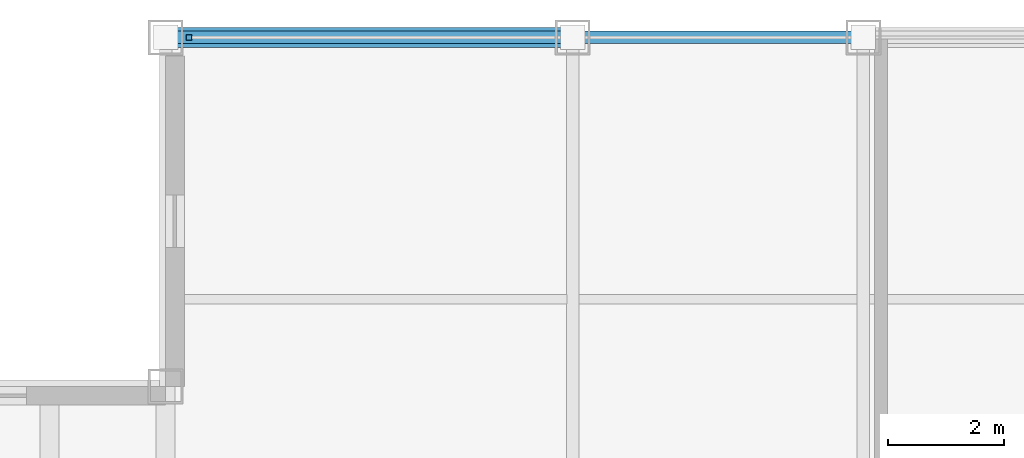
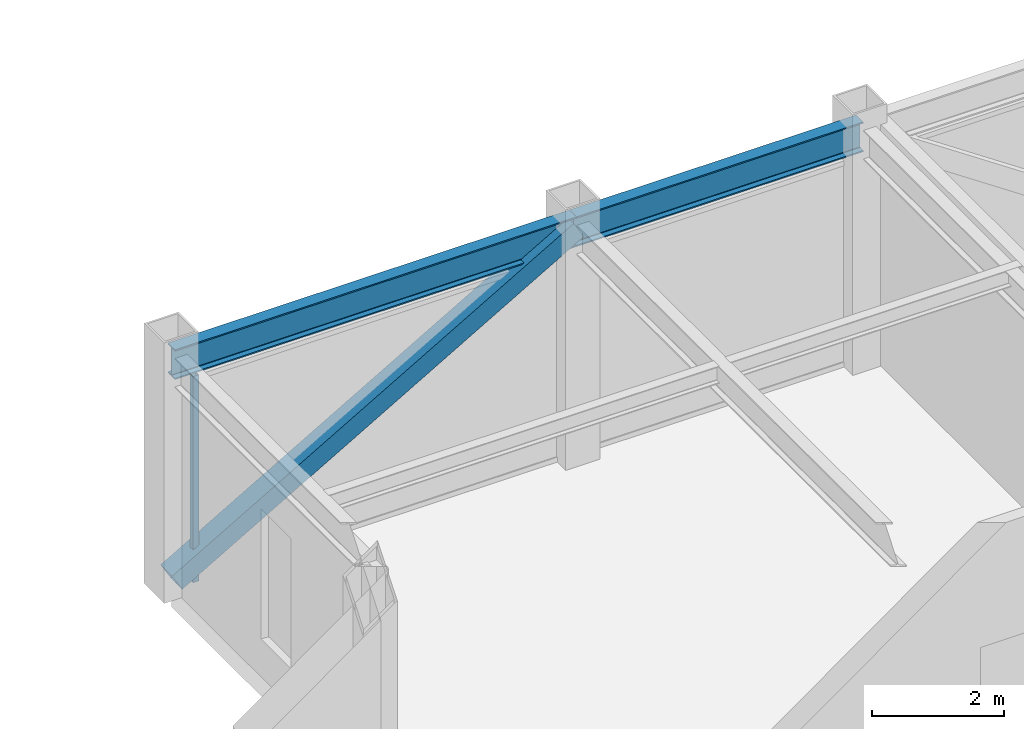
# One storey, part 16 of 27: 2 beams, 2 members, 1 element without a shape of its own.
"""IFC4 building model written with IfcOpenShell, lengths in metres."""

from ifc_helpers import new_model, si_unit, direction, frame, origin, origin_2d, place, context, subcontext, project, spatial, hollow_rectangle, i_section, extrude, source, transform, mapped, material, material_profile, profile_set, type_object, element, aggregate, save


model = new_model("IFC4")

# Units and contexts
model_context = context("Model", 3, precision=1e-05, world=origin(), true_north=direction((0.0, 1.0)))
body_context = subcontext(model_context, "Body", "Model", "MODEL_VIEW")
ifc_project = project(units=[si_unit("LENGTHUNIT", "METRE"), si_unit("AREAUNIT", "SQUARE_METRE"), si_unit("VOLUMEUNIT", "CUBIC_METRE"), si_unit("PLANEANGLEUNIT", "RADIAN"), si_unit("MASSUNIT", "GRAM", prefix="KILO")], contexts=[model_context])

# Site, building, storey
site_placement = place(None, origin())
site = spatial("IfcSite", under=ifc_project, at=site_placement, CompositionType="ELEMENT")
building_placement = place(site_placement, origin())
building = spatial("IfcBuilding", under=site, at=building_placement, Name="Khorayat Bourse Tower", CompositionType="ELEMENT")
storey_placement = place(building_placement, frame((0.0, 0.0, 385.10009765625)))
storey = spatial("IfcBuildingStorey", under=building, at=storey_placement, Name="L91", CompositionType="ELEMENT", Elevation=385.10009765625)

# Beams
ifc_material_1 = material(Name="Steel ASTM A992 Grade 50", Category="steel")
ifc_material_profile_1 = material_profile(ifc_material_1, i_section(OverallWidth=0.214111328125, OverallDepth=0.549072265625, WebThickness=0.0146484375, FlangeThickness=0.023681640625, FilletRadius=0.013916015625, at=origin_2d()), Name="W530X138")
ifc_profile_set_1 = profile_set([ifc_material_profile_1], Name="Steel ASTM A992 Grade 50")
beam_type = type_object("IfcBeamType", Name="BM-SPAN-530", PredefinedType="SPANDREL", material=ifc_profile_set_1)
shared_shape_1 = source(origin(), body_context, "Body", "SweptSolid", [
    extrude(i_section(OverallWidth=0.214111328125, OverallDepth=0.549072265625, WebThickness=0.0146484375, FlangeThickness=0.023681640625, FilletRadius=0.013916015625, at=origin_2d()), origin(), (0.0, 0.0, 1.0), 5.0),
])
beam_1_placement = place(storey_placement, frame((-11.0, 24.0, 4.17529296875), z_axis=(1.0, 0.0, 0.0), x_axis=(0.0, 1.0, 0.0)))
element("IfcBeam", 1, at=beam_1_placement, inside=storey, type_object=beam_type, Name="L91 BM-SPAN-530 BM-L91-SPN-044", PredefinedType="SPANDREL", context=body_context, shape_type="MappedRepresentation", body=[
    mapped(shared_shape_1, transform((0.0, 0.0, 0.0), scale=1.0)),
])
shared_shape_2 = source(origin(), body_context, "Body", "SweptSolid", [
    extrude(i_section(OverallWidth=0.214111328125, OverallDepth=0.549072265625, WebThickness=0.0146484375, FlangeThickness=0.023681640625, FilletRadius=0.013916015625, at=origin_2d()), origin(), (0.0, 0.0, 1.0), 7.0),
])
beam_2_placement = place(storey_placement, frame((-18.0, 24.0, 4.17529296875), z_axis=(1.0, 0.0, 0.0), x_axis=(0.0, 1.0, 0.0)))
element("IfcBeam", 2, at=beam_2_placement, inside=storey, type_object=beam_type, Name="L91 BM-SPAN-530 BM-L91-SPN-045", PredefinedType="SPANDREL", context=body_context, shape_type="MappedRepresentation", body=[
    mapped(shared_shape_2, transform((0.0, 0.0, 0.0), scale=1.0)),
])

# Member
ifc_material_2 = material(Name="Steel EN 10025-2 S355J2", Category="steel")
ifc_material_profile_2 = material_profile(ifc_material_2, hollow_rectangle(XDim=0.35009765625, YDim=0.35009765625, WallThickness=0.02001953125, at=origin_2d()), Name="HSS 350x350x20")
ifc_profile_set_2 = profile_set([ifc_material_profile_2], Name="Steel EN 10025-2 S355J2")
member_type_1 = type_object("IfcMemberType", Name="MBR-CROWN-350", PredefinedType="USERDEFINED", material=ifc_profile_set_2)
shared_shape_3 = source(origin(), body_context, "Body", "SweptSolid", [
    extrude(hollow_rectangle(XDim=0.35009765625, YDim=0.35009765625, WallThickness=0.02001953125, at=origin_2d()), origin(), (0.0, 0.0, 1.0), 8.087158203125),
])
member_1_placement = place(storey_placement, frame((-18.0, 24.0, 0.199951171875), z_axis=(0.865564731219, 0.0, 0.500797060763), x_axis=(0.0, 1.0, 0.0)))
element("IfcMember", 3, at=member_1_placement, inside=storey, type_object=member_type_1, Name="L91 Lantern Crown Frame Member 05", ObjectType="CROWN FRAME", PredefinedType="USERDEFINED", context=body_context, shape_type="MappedRepresentation", body=[
    mapped(shared_shape_3, transform((0.0, 0.0, 0.0), scale=1.0)),
])

# Curtain wall, member
ifc_material_3 = material(Name="Aluminium EN AW-6063 T6", Category="aluminium")
curtain_wall_type = type_object("IfcCurtainWallType", Name="CW-SYS-07", PredefinedType="NOTDEFINED", material=ifc_material_3)
curtain_wall_placement = place(storey_placement, origin())
curtain_wall = element("IfcCurtainWall", 4, at=curtain_wall_placement, inside=storey, type_object=curtain_wall_type, Name="L91 Curtain Wall CW-L91-N1", PredefinedType="NOTDEFINED")
ifc_material_profile_3 = material_profile(ifc_material_3, hollow_rectangle(XDim=0.10009765625, YDim=0.10009765625, WallThickness=0.0048828125, at=origin_2d()), Name="ALU 100x100x5")
ifc_profile_set_3 = profile_set([ifc_material_profile_3], Name="Aluminium EN AW-6063 T6")
member_type_2 = type_object("IfcMemberType", Name="CWM-LANTERN-100", PredefinedType="MULLION", material=ifc_profile_set_3)
shared_shape_4 = source(origin(), body_context, "Body", "SweptSolid", [
    extrude(hollow_rectangle(XDim=0.10009765625, YDim=0.10009765625, WallThickness=0.0048828125, at=origin_2d()), origin(), (0.0, 0.0, 1.0), 3.7998046875),
])
member_2_placement = place(storey_placement, frame((-17.60009765625, 24.0, 0.0), z_axis=(0.0, 0.0, 1.0), x_axis=(0.0, 1.0, 0.0)))
member_2 = element("IfcMember", 5, at=member_2_placement, type_object=member_type_2, Name="CW-L91-N1 Vertical Mullion 1", PredefinedType="MULLION", context=body_context, shape_type="MappedRepresentation", body=[
    mapped(shared_shape_4, transform((0.0, 0.0, 0.0), scale=1.0)),
])
aggregate(curtain_wall, [member_2])

save(model, "model.ifc")
